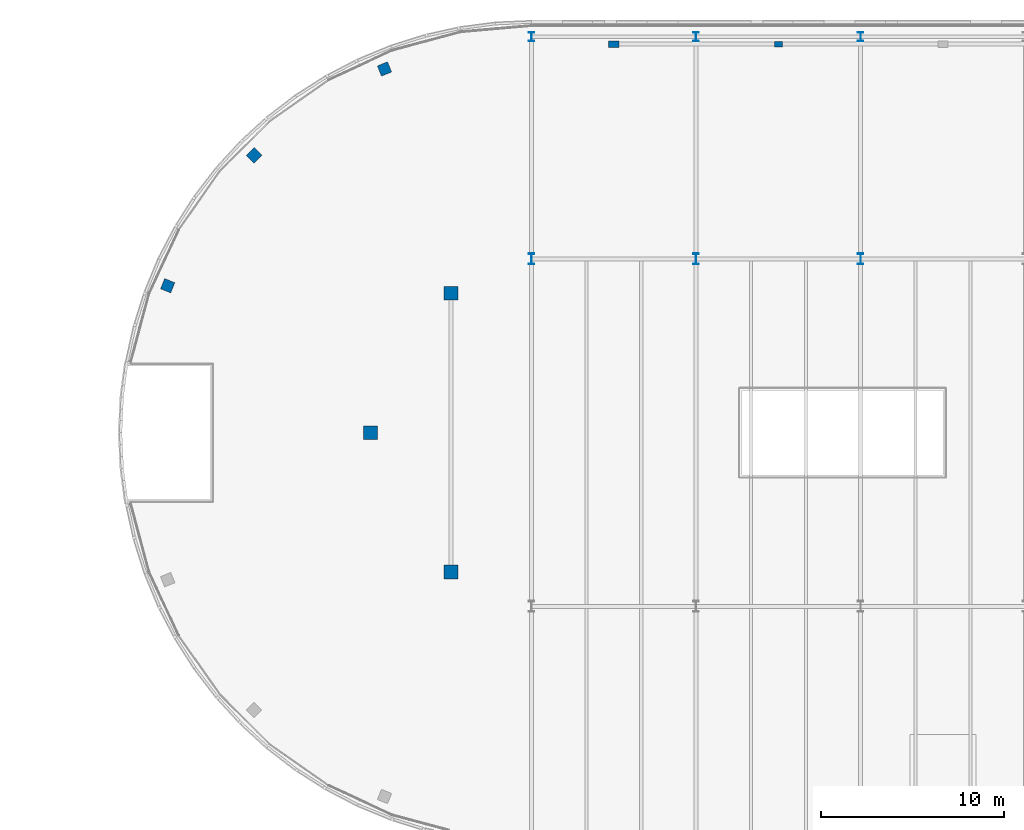
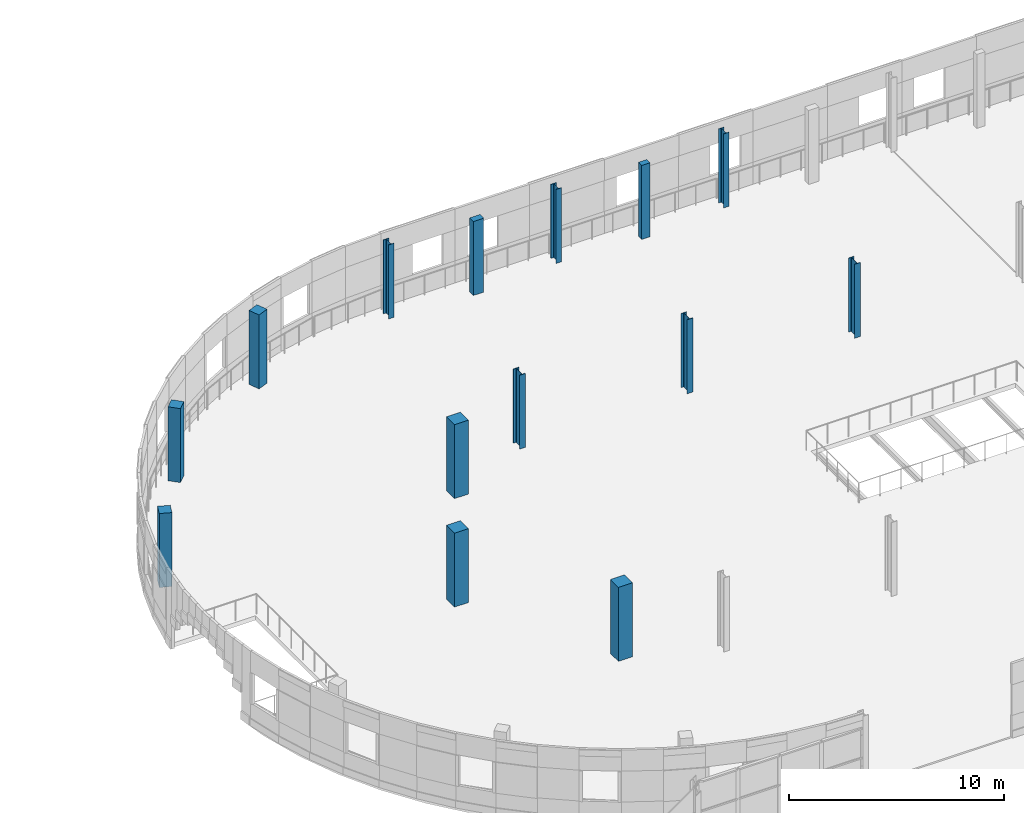
# One storey, part 10 of 135: 14 columns.
"""IFC4 building model written with IfcOpenShell, lengths in metres."""

from ifc_helpers import new_model, si_unit, direction, frame, origin, origin_2d, place, context, subcontext, project, spatial, rectangle, i_section, extrude, material, material_profile, profile_set, type_object, element, save


model = new_model("IFC4")

# Units and contexts
model_context = context("Model", 3, precision=1e-05, world=origin(), true_north=direction((0.0, 1.0)))
body_context = subcontext(model_context, "Body", "Model", "MODEL_VIEW")
ifc_project = project(units=[si_unit("LENGTHUNIT", "METRE"), si_unit("AREAUNIT", "SQUARE_METRE"), si_unit("VOLUMEUNIT", "CUBIC_METRE"), si_unit("PLANEANGLEUNIT", "RADIAN"), si_unit("MASSUNIT", "GRAM", prefix="KILO")], contexts=[model_context])

# Site, building, storey
site_placement = place(None, origin())
site = spatial("IfcSite", under=ifc_project, at=site_placement, CompositionType="ELEMENT")
building_placement = place(site_placement, origin())
building = spatial("IfcBuilding", under=site, at=building_placement, Name="Deido Ridge Mobility Hub", CompositionType="ELEMENT")
storey_placement = place(building_placement, frame((0.0, 0.0, 4.199951171875)))
storey = spatial("IfcBuildingStorey", under=building, at=storey_placement, Name="L01", CompositionType="ELEMENT", Elevation=4.199951171875)

# Columns
ifc_material_1 = material(Name="Steel S355J2 EN 10025-2", Category="steel")
ifc_material_profile_1 = material_profile(ifc_material_1, i_section(OverallWidth=0.300048828125, OverallDepth=0.5, WebThickness=0.014404296875, FlangeThickness=0.028076171875, FilletRadius=0.027099609375, at=origin_2d()), Name="HEB 500")
ifc_profile_set_1 = profile_set([ifc_material_profile_1], Name="Steel S355J2 EN 10025-2")
column_type_1 = type_object("IfcColumnType", Name="COL-HEB500", PredefinedType="COLUMN", material=ifc_profile_set_1)
for number, where, z_axis, x_axis, name in (
    (1, (45.0, 125.14990234375, 0.0), (0.0, 0.0, 1.0), (1.0, 0.0, 0.0), "Structural column C5"),
    (2, (54.0, 125.14990234375, 0.0), (0.0, 0.0, 1.0), (1.0, 0.0, 0.0), "Structural column C5"),
    (3, (63.0, 125.14990234375, 0.0), (0.0, 0.0, 1.0), (1.0, 0.0, 0.0), "Structural column C5"),
):
    element("IfcColumn", number, at=place(storey_placement, frame(where, z_axis=z_axis, x_axis=x_axis)), inside=storey, type_object=column_type_1, Name=name, PredefinedType="COLUMN", context=body_context, shape_type="SweptSolid", body=[
        extrude(i_section(OverallWidth=0.300048828125, OverallDepth=0.5, WebThickness=0.014404296875, FlangeThickness=0.028076171875, FilletRadius=0.027099609375, at=origin_2d()), origin(), (0.0, 0.0, 1.0), 4.199951171875),
    ])
ifc_material_profile_2 = material_profile(ifc_material_1, i_section(OverallWidth=0.300048828125, OverallDepth=0.60009765625, WebThickness=0.015380859375, FlangeThickness=0.030029296875, FilletRadius=0.027099609375, at=origin_2d()), Name="HEB 600")
ifc_profile_set_2 = profile_set([ifc_material_profile_2], Name="Steel S355J2 EN 10025-2")
column_type_2 = type_object("IfcColumnType", Name="COL-HEB600", PredefinedType="COLUMN", material=ifc_profile_set_2)
for number, where, z_axis, x_axis, name in (
    (4, (45.0, 113.0, 0.0), (0.0, 0.0, 1.0), (1.0, 0.0, 0.0), "Structural column C4"),
    (5, (54.0, 113.0, 0.0), (0.0, 0.0, 1.0), (1.0, 0.0, 0.0), "Structural column C4"),
    (6, (63.0, 113.0, 0.0), (0.0, 0.0, 1.0), (1.0, 0.0, 0.0), "Structural column C4"),
):
    element("IfcColumn", number, at=place(storey_placement, frame(where, z_axis=z_axis, x_axis=x_axis)), inside=storey, type_object=column_type_2, Name=name, PredefinedType="COLUMN", context=body_context, shape_type="SweptSolid", body=[
        extrude(i_section(OverallWidth=0.300048828125, OverallDepth=0.60009765625, WebThickness=0.015380859375, FlangeThickness=0.030029296875, FilletRadius=0.027099609375, at=origin_2d()), origin(), (0.0, 0.0, 1.0), 4.199951171875),
    ])
ifc_material_2 = material(Name="Concrete C40/50", Category="concrete")
ifc_material_profile_3 = material_profile(ifc_material_2, rectangle(XDim=0.60009765625, YDim=0.60009765625, at=origin_2d()), Name="RC COL 600x600")
ifc_profile_set_3 = profile_set([ifc_material_profile_3], Name="Concrete C40/50")
column_type_3 = type_object("IfcColumnType", Name="COL-RC600", PredefinedType="COLUMN", material=ifc_profile_set_3)
for number, where, z_axis, x_axis, name in (
    (7, (36.964599609375, 123.38818359375, 0.0), (0.0, 0.0, 1.0), (-0.374606593416, 0.927183854567, 0.0), "Structural column RC2"),
    (8, (29.83251953125, 118.66748046875, 0.0), (0.0, 0.0, 1.0), (-0.707106781187, 0.707106781187, 0.0), "Structural column RC2"),
    (9, (25.11181640625, 111.535400390625, 0.0), (0.0, 0.0, 1.0), (-0.927183854567, 0.374606593416, 0.0), "Structural column RC2"),
):
    element("IfcColumn", number, at=place(storey_placement, frame(where, z_axis=z_axis, x_axis=x_axis)), inside=storey, type_object=column_type_3, Name=name, PredefinedType="COLUMN", context=body_context, shape_type="SweptSolid", body=[
        extrude(rectangle(XDim=0.60009765625, YDim=0.60009765625, at=origin_2d()), origin(), (0.0, 0.0, 1.0), 4.199951171875),
    ])
ifc_material_profile_4 = material_profile(ifc_material_2, rectangle(XDim=0.75, YDim=0.75, at=origin_2d()), Name="RC COL 750x750")
ifc_profile_set_4 = profile_set([ifc_material_profile_4], Name="Concrete C40/50")
column_type_4 = type_object("IfcColumnType", Name="COL-RC750", PredefinedType="COLUMN", material=ifc_profile_set_4)
for number, where, z_axis, x_axis, name in (
    (10, (40.60009765625, 111.12109375, 0.0), (0.0, 0.0, 1.0), (1.0, 0.0, 0.0), "Structural column RC1"),
    (11, (36.199951171875, 103.5, 0.0), (0.0, 0.0, 1.0), (1.0, 0.0, 0.0), "Structural column RC1"),
    (12, (40.60009765625, 95.87890625, 0.0), (0.0, 0.0, 1.0), (1.0, 0.0, 0.0), "Structural column RC1"),
):
    element("IfcColumn", number, at=place(storey_placement, frame(where, z_axis=z_axis, x_axis=x_axis)), inside=storey, type_object=column_type_4, Name=name, PredefinedType="COLUMN", context=body_context, shape_type="SweptSolid", body=[
        extrude(rectangle(XDim=0.75, YDim=0.75, at=origin_2d()), origin(), (0.0, 0.0, 1.0), 4.199951171875),
    ])
ifc_material_profile_5 = material_profile(ifc_material_2, rectangle(XDim=0.449951171875, YDim=0.300048828125, at=origin_2d()), Name="RC PILASTER 450x300")
ifc_profile_set_5 = profile_set([ifc_material_profile_5], Name="Concrete C40/50")
column_type_5 = type_object("IfcColumnType", Name="PIL-RC450", PredefinedType="PILASTER", material=ifc_profile_set_5)
column_1_placement = place(storey_placement, frame((58.5, 124.75, 0.0), z_axis=(0.0, 0.0, 1.0), x_axis=(1.0, 0.0, 0.0)))
element("IfcColumn", 13, at=column_1_placement, inside=storey, type_object=column_type_5, Name="Structural column PL2", PredefinedType="PILASTER", context=body_context, shape_type="SweptSolid", body=[
    extrude(rectangle(XDim=0.449951171875, YDim=0.300048828125, at=origin_2d()), origin(), (0.0, 0.0, 1.0), 4.199951171875),
])
ifc_material_profile_6 = material_profile(ifc_material_2, rectangle(XDim=0.550048828125, YDim=0.35009765625, at=origin_2d()), Name="RC PILASTER 550x350")
ifc_profile_set_6 = profile_set([ifc_material_profile_6], Name="Concrete C40/50")
column_type_6 = type_object("IfcColumnType", Name="PIL-RC550", PredefinedType="PILASTER", material=ifc_profile_set_6)
column_2_placement = place(storey_placement, frame((49.5, 124.75, 0.0), z_axis=(0.0, 0.0, 1.0), x_axis=(1.0, 0.0, 0.0)))
element("IfcColumn", 14, at=column_2_placement, inside=storey, type_object=column_type_6, Name="Structural column PL1", PredefinedType="PILASTER", context=body_context, shape_type="SweptSolid", body=[
    extrude(rectangle(XDim=0.550048828125, YDim=0.35009765625, at=origin_2d()), origin(), (0.0, 0.0, 1.0), 4.199951171875),
])

save(model, "model.ifc")
